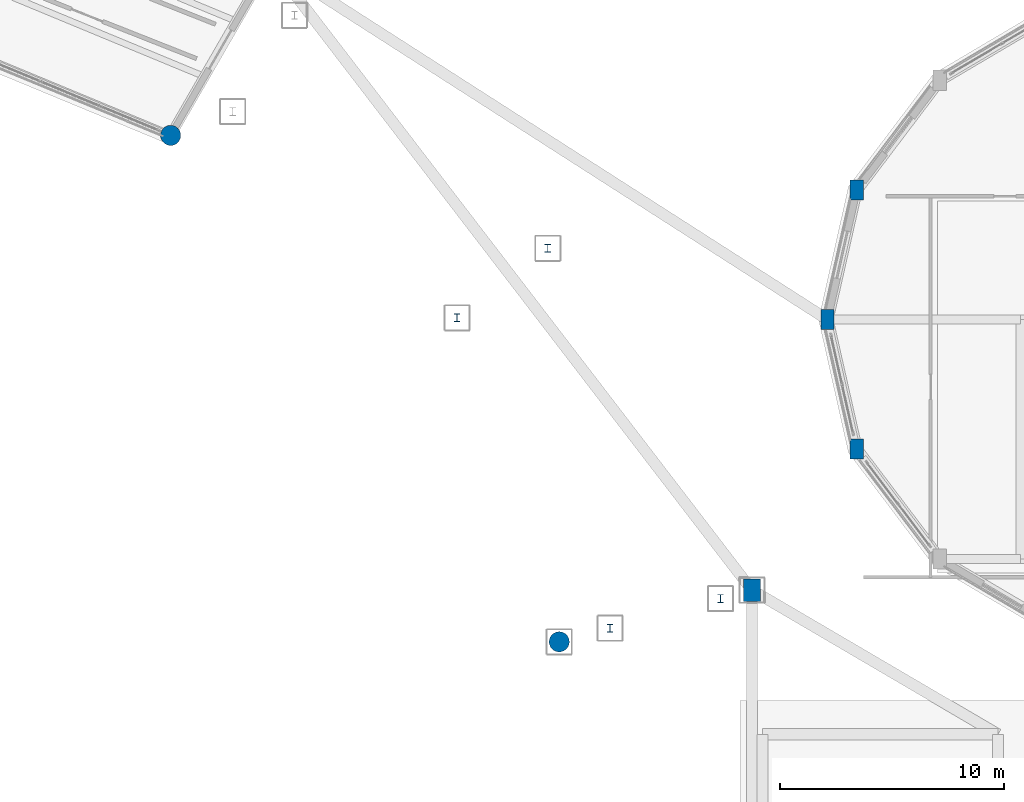
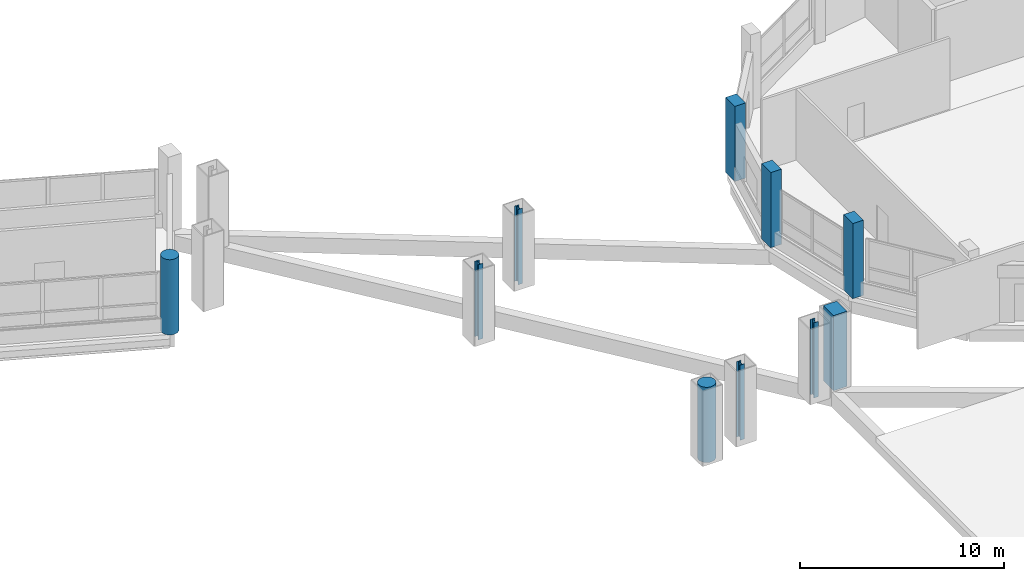
# One storey, part 10 of 129: 10 columns.
"""IFC4 building model written with IfcOpenShell, lengths in metres."""

from ifc_helpers import new_model, si_unit, direction, frame, origin, origin_2d, place, context, subcontext, project, spatial, rectangle, circle, i_section, extrude, material, material_profile, profile_set, type_object, element, save


model = new_model("IFC4")

# Units and contexts
model_context = context("Model", 3, precision=1e-05, world=origin(), true_north=direction((0.0, 1.0)))
body_context = subcontext(model_context, "Body", "Model", "MODEL_VIEW")
ifc_project = project(units=[si_unit("LENGTHUNIT", "METRE"), si_unit("AREAUNIT", "SQUARE_METRE"), si_unit("VOLUMEUNIT", "CUBIC_METRE"), si_unit("PLANEANGLEUNIT", "RADIAN"), si_unit("MASSUNIT", "GRAM", prefix="KILO")], contexts=[model_context])

# Site, building, storey
site_placement = place(None, origin())
site = spatial("IfcSite", under=ifc_project, at=site_placement, CompositionType="ELEMENT")
building_placement = place(site_placement, origin())
building = spatial("IfcBuilding", under=site, at=building_placement, Name="Vespera Passage Community Centre", CompositionType="ELEMENT")
storey_placement = place(building_placement, origin())
storey = spatial("IfcBuildingStorey", under=building, at=storey_placement, Name="L00", CompositionType="ELEMENT", Elevation=0.0)

# Columns
ifc_material_1 = material(Name="Concrete f'c 45 MPa", Category="concrete")
ifc_material_profile_1 = material_profile(ifc_material_1, rectangle(XDim=0.75, YDim=1.0, at=origin_2d()), Name="RC1000X750")
ifc_profile_set_1 = profile_set([ifc_material_profile_1], Name="Concrete f'c 45 MPa")
column_type_1 = type_object("IfcColumnType", Name="COL-RC1000X750E", PredefinedType="COLUMN", material=ifc_profile_set_1)
column_placement = place(storey_placement, frame((122.529296875, 77.431640625, 0.0), z_axis=(0.0, 0.0, 1.0), x_axis=(1.0, 0.0, 0.0)))
element("IfcColumn", 1, at=column_placement, inside=storey, type_object=column_type_1, Name="L00 Column V4-O01", PredefinedType="COLUMN", context=body_context, shape_type="SweptSolid", body=[
    extrude(rectangle(XDim=0.75, YDim=1.0, at=origin_2d()), origin(), (0.0, 0.0, 1.0), 4.5),
])
ifc_material_2 = material(Name="Concrete f'c 45 MPa", Category="concrete")
ifc_material_profile_2 = material_profile(ifc_material_2, circle(Radius=0.449951171875, at=origin_2d()), Name="RC900DIA")
ifc_profile_set_2 = profile_set([ifc_material_profile_2], Name="Concrete f'c 45 MPa")
column_type_2 = type_object("IfcColumnType", Name="COL-RC900DIAE", PredefinedType="COLUMN", material=ifc_profile_set_2)
for number, where, z_axis, x_axis, name in (
    (2, (113.932373046875, 75.128173828125, 0.0), (0.0, 0.0, 1.0), (1.0, 0.0, 0.0), "L00 Column V4-I01"),
    (3, (96.60009765625, 97.716064453125, 0.0), (0.0, 0.0, 1.0), (1.0, 0.0, 0.0), "L00 Column V4-I04"),
):
    element("IfcColumn", number, at=place(storey_placement, frame(where, z_axis=z_axis, x_axis=x_axis)), inside=storey, type_object=column_type_2, Name=name, PredefinedType="COLUMN", context=body_context, shape_type="SweptSolid", body=[
        extrude(circle(Radius=0.449951171875, at=origin_2d()), origin(), (0.0, 0.0, 1.0), 4.5),
    ])
ifc_material_3 = material(Name="Concrete f'c 45 MPa", Category="concrete")
ifc_material_profile_3 = material_profile(ifc_material_3, rectangle(XDim=0.60009765625, YDim=0.89990234375, at=origin_2d()), Name="RC900X600")
ifc_profile_set_3 = profile_set([ifc_material_profile_3], Name="Concrete f'c 45 MPa")
column_type_3 = type_object("IfcColumnType", Name="COL-RC900X600E", PredefinedType="COLUMN", material=ifc_profile_set_3)
for number, where, z_axis, x_axis, name in (
    (4, (127.20166015625, 95.278564453125, 0.0), (0.0, 0.0, 1.0), (1.0, 0.0, 0.0), "L00 Column V2-P08"),
    (5, (125.89990234375, 89.5, 0.0), (0.0, 0.0, 1.0), (1.0, 0.0, 0.0), "L00 Column V2-P09"),
    (6, (127.20166015625, 83.721435546875, 0.0), (0.0, 0.0, 1.0), (1.0, 0.0, 0.0), "L00 Column V2-P10"),
):
    element("IfcColumn", number, at=place(storey_placement, frame(where, z_axis=z_axis, x_axis=x_axis)), inside=storey, type_object=column_type_3, Name=name, PredefinedType="COLUMN", context=body_context, shape_type="SweptSolid", body=[
        extrude(rectangle(XDim=0.60009765625, YDim=0.89990234375, at=origin_2d()), origin(), (0.0, 0.0, 1.0), 4.5),
    ])
ifc_material_4 = material(Name="Steel ASTM A992 Grade 50", Category="steel")
ifc_material_profile_4 = material_profile(ifc_material_4, i_section(OverallWidth=0.2548828125, OverallDepth=0.356689453125, WebThickness=0.010498046875, FlangeThickness=0.018310546875, FilletRadius=0.01513671875, at=origin_2d()), Name="W14X68")
ifc_profile_set_4 = profile_set([ifc_material_profile_4], Name="Steel ASTM A992 Grade 50")
column_type_4 = type_object("IfcColumnType", Name="COL-W14X68I", PredefinedType="COLUMN", material=ifc_profile_set_4)
for number, where, z_axis, x_axis, name in (
    (7, (116.202392578125, 75.736328125, 0.0), (0.0, 0.0, 1.0), (1.0, 0.0, 0.0), "L00 Column TRANC-I010"),
    (8, (109.377197265625, 89.576416015625, 0.0), (0.0, 0.0, 1.0), (1.0, 0.0, 0.0), "L00 Column TRANC-I025"),
    (9, (121.128662109375, 77.056396484375, 0.0), (0.0, 0.0, 1.0), (1.0, 0.0, 0.0), "L00 Column TRANC-O010"),
    (10, (113.423095703125, 92.68115234375, 0.0), (0.0, 0.0, 1.0), (1.0, 0.0, 0.0), "L00 Column TRANC-O025"),
):
    element("IfcColumn", number, at=place(storey_placement, frame(where, z_axis=z_axis, x_axis=x_axis)), inside=storey, type_object=column_type_4, Name=name, PredefinedType="COLUMN", context=body_context, shape_type="SweptSolid", body=[
        extrude(i_section(OverallWidth=0.2548828125, OverallDepth=0.356689453125, WebThickness=0.010498046875, FlangeThickness=0.018310546875, FilletRadius=0.01513671875, at=origin_2d()), origin(), (0.0, 0.0, 1.0), 4.5),
    ])

save(model, "model.ifc")
